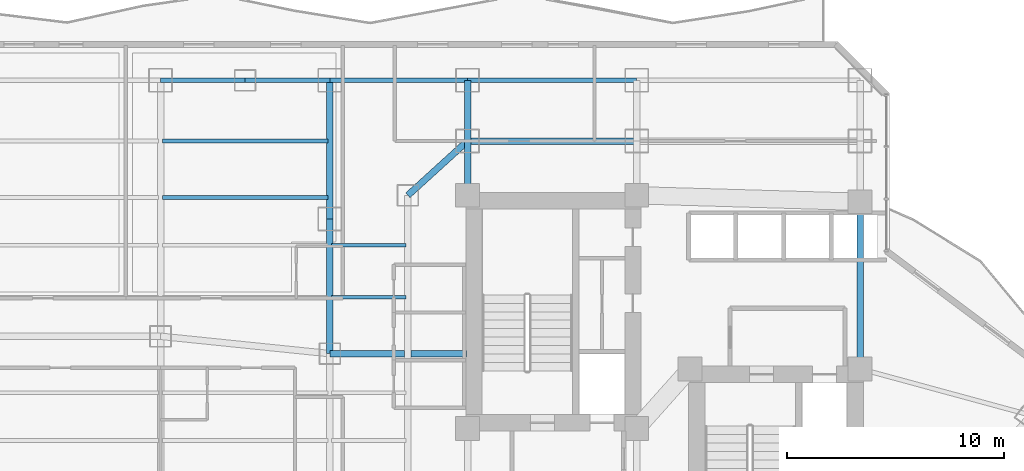
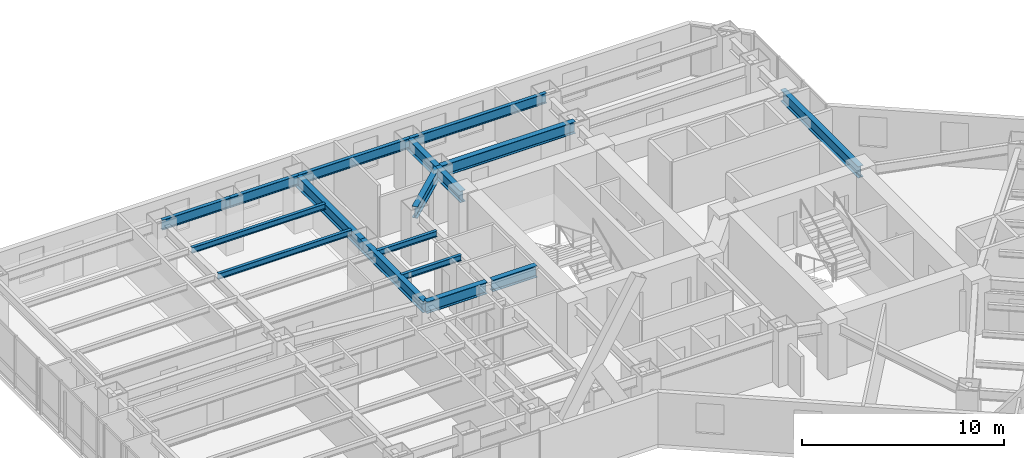
# One storey, part 17 of 33: 17 beams.
"""IFC4 building model written with IfcOpenShell, lengths in metres."""

from ifc_helpers import new_model, si_unit, direction, frame, origin, origin_2d, place, context, subcontext, project, spatial, i_section, extrude, material, material_profile, profile_set, type_object, element, save


model = new_model("IFC4")

# Units and contexts
model_context = context("Model", 3, precision=1e-05, world=origin(), true_north=direction((0.0, 1.0)))
body_context = subcontext(model_context, "Body", "Model", "MODEL_VIEW")
ifc_project = project(units=[si_unit("LENGTHUNIT", "METRE"), si_unit("AREAUNIT", "SQUARE_METRE"), si_unit("VOLUMEUNIT", "CUBIC_METRE"), si_unit("PLANEANGLEUNIT", "RADIAN"), si_unit("MASSUNIT", "GRAM", prefix="KILO")], contexts=[model_context])

# Site, building, storey
site_placement = place(None, origin())
site = spatial("IfcSite", under=ifc_project, at=site_placement, CompositionType="ELEMENT")
building_placement = place(site_placement, origin())
building = spatial("IfcBuilding", under=site, at=building_placement, Name="Hatsunagi Terrace Concourse", CompositionType="ELEMENT")
storey_placement = place(building_placement, frame((0.0, 0.0, 53.35009765625)))
storey = spatial("IfcBuildingStorey", under=building, at=storey_placement, Name="L13", CompositionType="ELEMENT", Elevation=53.35009765625)

# Beams
ifc_material_1 = material(Name="Steel SN490B", Category="steel")
ifc_material_profile_1 = material_profile(ifc_material_1, i_section(OverallWidth=0.300048828125, OverallDepth=0.699951171875, WebThickness=0.012939453125, FlangeThickness=0.02392578125, FilletRadius=0.02197265625, at=origin_2d()), Name="H-700x300x13x24")
ifc_profile_set_1 = profile_set([ifc_material_profile_1], Name="Steel SN490B")
beam_type_1 = type_object("IfcBeamType", Name="HotelFloorGirder_H_700x300", PredefinedType="BEAM", material=ifc_profile_set_1)
beam_1_placement = place(storey_placement, frame((43.64990234375, 35.300048828125, 2.77978515625), z_axis=(0.0, 1.0, 0.0), x_axis=(-1.0, 0.0, 0.0)))
element("IfcBeam", 1, at=beam_1_placement, inside=storey, type_object=beam_type_1, Name="Beam G-04 BM-L13-CBK3", PredefinedType="BEAM", context=body_context, shape_type="SweptSolid", body=[
    extrude(i_section(OverallWidth=0.300048828125, OverallDepth=0.699951171875, WebThickness=0.012939453125, FlangeThickness=0.02392578125, FilletRadius=0.02197265625, at=origin_2d()), origin(), (0.0, 0.0, 1.0), 7.699951171875),
])
beam_2_placement = place(storey_placement, frame((25.550048828125, 43.300048828125, 2.77978515625), z_axis=(0.0, 1.0, 0.0), x_axis=(-1.0, 0.0, 0.0)))
element("IfcBeam", 2, at=beam_2_placement, inside=storey, type_object=beam_type_1, Name="Beam G-04 BM-L13-CN1", PredefinedType="BEAM", context=body_context, shape_type="SweptSolid", body=[
    extrude(i_section(OverallWidth=0.300048828125, OverallDepth=0.699951171875, WebThickness=0.012939453125, FlangeThickness=0.02392578125, FilletRadius=0.02197265625, at=origin_2d()), origin(), (0.0, 0.0, 1.0), 2.5),
])
beam_3_placement = place(storey_placement, frame((25.550048828125, 45.800048828125, 2.77978515625), z_axis=(1.0, 0.0, 0.0), x_axis=(0.0, 1.0, 0.0)))
element("IfcBeam", 3, at=beam_3_placement, inside=storey, type_object=beam_type_1, Name="Beam G-04 BM-L13-CNEW1", PredefinedType="BEAM", context=body_context, shape_type="SweptSolid", body=[
    extrude(i_section(OverallWidth=0.300048828125, OverallDepth=0.699951171875, WebThickness=0.012939453125, FlangeThickness=0.02392578125, FilletRadius=0.02197265625, at=origin_2d()), origin(), (0.0, 0.0, 1.0), 7.800048828125),
])
beam_4_placement = place(storey_placement, frame((25.550048828125, 45.800048828125, 2.77978515625), z_axis=(0.0, 1.0, 0.0), x_axis=(-1.0, 0.0, 0.0)))
element("IfcBeam", 4, at=beam_4_placement, inside=storey, type_object=beam_type_1, Name="Beam G-04 BM-L13-KN-WN4", PredefinedType="BEAM", context=body_context, shape_type="SweptSolid", body=[
    extrude(i_section(OverallWidth=0.300048828125, OverallDepth=0.699951171875, WebThickness=0.012939453125, FlangeThickness=0.02392578125, FilletRadius=0.02197265625, at=origin_2d()), origin(), (0.0, 0.0, 1.0), 2.800048828125),
])
beam_5_placement = place(storey_placement, frame((22.800048828125, 43.300048828125, 2.77978515625), z_axis=(0.739940073396, 0.672672793996, 0.0), x_axis=(-0.672672793996, 0.739940073396, 0.0)))
element("IfcBeam", 5, at=beam_5_placement, inside=storey, type_object=beam_type_1, Name="Beam G-04 BM-L13-CWEW-N", PredefinedType="BEAM", context=body_context, shape_type="SweptSolid", body=[
    extrude(i_section(OverallWidth=0.300048828125, OverallDepth=0.699951171875, WebThickness=0.012939453125, FlangeThickness=0.02392578125, FilletRadius=0.02197265625, at=origin_2d()), origin(), (0.0, 0.0, 1.0), 3.716552734375),
])
beam_6_placement = place(storey_placement, frame((19.199951171875, 36.0, 2.77978515625), z_axis=(0.0, 1.0, 0.0), x_axis=(-1.0, 0.0, 0.0)))
element("IfcBeam", 6, at=beam_6_placement, inside=storey, type_object=beam_type_1, Name="Beam G-04 BM-L13-NS-19-36", PredefinedType="BEAM", context=body_context, shape_type="SweptSolid", body=[
    extrude(i_section(OverallWidth=0.300048828125, OverallDepth=0.699951171875, WebThickness=0.012939453125, FlangeThickness=0.02392578125, FilletRadius=0.02197265625, at=origin_2d()), origin(), (0.0, 0.0, 1.0), 6.199951171875),
])
beam_7_placement = place(storey_placement, frame((19.199951171875, 42.199951171875, 2.77978515625), z_axis=(0.0, 1.0, 0.0), x_axis=(-1.0, 0.0, 0.0)))
element("IfcBeam", 7, at=beam_7_placement, inside=storey, type_object=beam_type_1, Name="Beam G-04 BM-L13-NS-19-42", PredefinedType="BEAM", context=body_context, shape_type="SweptSolid", body=[
    extrude(i_section(OverallWidth=0.300048828125, OverallDepth=0.699951171875, WebThickness=0.012939453125, FlangeThickness=0.02392578125, FilletRadius=0.02197265625, at=origin_2d()), origin(), (0.0, 0.0, 1.0), 6.400146484375),
])
beam_8_placement = place(storey_placement, frame((19.199951171875, 36.0, 2.77978515625), z_axis=(1.0, 0.0, 0.0), x_axis=(0.0, 1.0, 0.0)))
element("IfcBeam", 8, at=beam_8_placement, inside=storey, type_object=beam_type_1, Name="Beam G-04 BM-L13-EW-3", PredefinedType="BEAM", context=body_context, shape_type="SweptSolid", body=[
    extrude(i_section(OverallWidth=0.300048828125, OverallDepth=0.699951171875, WebThickness=0.012939453125, FlangeThickness=0.02392578125, FilletRadius=0.02197265625, at=origin_2d()), origin(), (0.0, 0.0, 1.0), 3.449951171875),
])
beam_9_placement = place(storey_placement, frame((22.949951171875, 36.0, 2.77978515625), z_axis=(1.0, 0.0, 0.0), x_axis=(0.0, 1.0, 0.0)))
element("IfcBeam", 9, at=beam_9_placement, inside=storey, type_object=beam_type_1, Name="Beam G-04 BM-L13-EW-4", PredefinedType="BEAM", context=body_context, shape_type="SweptSolid", body=[
    extrude(i_section(OverallWidth=0.300048828125, OverallDepth=0.699951171875, WebThickness=0.012939453125, FlangeThickness=0.02392578125, FilletRadius=0.02197265625, at=origin_2d()), origin(), (0.0, 0.0, 1.0), 2.56005859375),
])
ifc_material_2 = material(Name="Steel SN490B", Category="steel")
ifc_material_profile_2 = material_profile(ifc_material_2, i_section(OverallWidth=0.175048828125, OverallDepth=0.35009765625, WebThickness=0.007080078125, FlangeThickness=0.010986328125, FilletRadius=0.012939453125, at=origin_2d()), Name="H-350x175x7x11")
ifc_profile_set_2 = profile_set([ifc_material_profile_2], Name="Steel SN490B")
beam_type_2 = type_object("IfcBeamType", Name="HotelJoist_H_350x175", PredefinedType="JOIST", material=ifc_profile_set_2)
for number, where, z_axis, x_axis, name in (
    (10, (19.284912109375, 38.60009765625, 2.954833984375), (1.0, 0.0, 0.0), (0.0, 1.0, 0.0), "Beam J-02 J-L13-W-19-386"),
    (11, (19.284912109375, 41.0, 2.954833984375), (1.0, 0.0, 0.0), (0.0, 1.0, 0.0), "Beam J-02 J-L13-W-19-410"),
):
    element("IfcBeam", number, at=place(storey_placement, frame(where, z_axis=z_axis, x_axis=x_axis)), inside=storey, type_object=beam_type_2, Name=name, PredefinedType="JOIST", context=body_context, shape_type="SweptSolid", body=[
        extrude(i_section(OverallWidth=0.175048828125, OverallDepth=0.35009765625, WebThickness=0.007080078125, FlangeThickness=0.010986328125, FilletRadius=0.012939453125, at=origin_2d()), origin(), (0.0, 0.0, 1.0), 3.43017578125),
    ])
for number, where, z_axis, x_axis, name in (
    (12, (11.485107421875, 43.199951171875, 2.954833984375), (1.0, 0.0, 0.0), (0.0, 1.0, 0.0), "Beam J-02 J-L13-W-11-432"),
    (13, (11.485107421875, 45.800048828125, 2.954833984375), (1.0, 0.0, 0.0), (0.0, 1.0, 0.0), "Beam J-02 J-L13-W-11-458"),
):
    element("IfcBeam", number, at=place(storey_placement, frame(where, z_axis=z_axis, x_axis=x_axis)), inside=storey, type_object=beam_type_2, Name=name, PredefinedType="JOIST", context=body_context, shape_type="SweptSolid", body=[
        extrude(i_section(OverallWidth=0.175048828125, OverallDepth=0.35009765625, WebThickness=0.007080078125, FlangeThickness=0.010986328125, FilletRadius=0.012939453125, at=origin_2d()), origin(), (0.0, 0.0, 1.0), 7.6298828125),
    ])
ifc_material_3 = material(Name="Steel SN490B", Category="steel")
ifc_material_profile_3 = material_profile(ifc_material_3, i_section(OverallWidth=0.199951171875, OverallDepth=0.60009765625, WebThickness=0.010986328125, FlangeThickness=0.01708984375, FilletRadius=0.01806640625, at=origin_2d()), Name="H-600x200x11x17")
ifc_profile_set_3 = profile_set([ifc_material_profile_3], Name="Steel SN490B")
beam_type_3 = type_object("IfcBeamType", Name="PerimeterSpandrel_H_600x200", PredefinedType="SPANDREL", material=ifc_profile_set_3)
beam_10_placement = place(storey_placement, frame((11.39990234375, 48.60009765625, 2.829833984375), z_axis=(1.0, 0.0, 0.0), x_axis=(0.0, 1.0, 0.0)))
element("IfcBeam", 14, at=beam_10_placement, inside=storey, type_object=beam_type_3, Name="Beam SP-01 BM-L13-WN-11", PredefinedType="SPANDREL", context=body_context, shape_type="SweptSolid", body=[
    extrude(i_section(OverallWidth=0.199951171875, OverallDepth=0.60009765625, WebThickness=0.010986328125, FlangeThickness=0.01708984375, FilletRadius=0.01806640625, at=origin_2d()), origin(), (0.0, 0.0, 1.0), 3.900146484375),
])
beam_11_placement = place(storey_placement, frame((15.300048828125, 48.60009765625, 2.829833984375), z_axis=(1.0, 0.0, 0.0), x_axis=(0.0, 1.0, 0.0)))
element("IfcBeam", 15, at=beam_11_placement, inside=storey, type_object=beam_type_3, Name="Beam SP-01 BM-L13-WN-15", PredefinedType="SPANDREL", context=body_context, shape_type="SweptSolid", body=[
    extrude(i_section(OverallWidth=0.199951171875, OverallDepth=0.60009765625, WebThickness=0.010986328125, FlangeThickness=0.01708984375, FilletRadius=0.01806640625, at=origin_2d()), origin(), (0.0, 0.0, 1.0), 3.89990234375),
])
beam_12_placement = place(storey_placement, frame((19.199951171875, 48.60009765625, 2.829833984375), z_axis=(1.0, 0.0, 0.0), x_axis=(0.0, 1.0, 0.0)))
element("IfcBeam", 16, at=beam_12_placement, inside=storey, type_object=beam_type_3, Name="Beam SP-01 BM-L13-WN-19", PredefinedType="SPANDREL", context=body_context, shape_type="SweptSolid", body=[
    extrude(i_section(OverallWidth=0.199951171875, OverallDepth=0.60009765625, WebThickness=0.010986328125, FlangeThickness=0.01708984375, FilletRadius=0.01806640625, at=origin_2d()), origin(), (0.0, 0.0, 1.0), 6.35009765625),
])
beam_13_placement = place(storey_placement, frame((25.550048828125, 48.60009765625, 2.829833984375), z_axis=(1.0, 0.0, 0.0), x_axis=(0.0, 1.0, 0.0)))
element("IfcBeam", 17, at=beam_13_placement, inside=storey, type_object=beam_type_3, Name="Beam SP-01 BM-L13-WN-25", PredefinedType="SPANDREL", context=body_context, shape_type="SweptSolid", body=[
    extrude(i_section(OverallWidth=0.199951171875, OverallDepth=0.60009765625, WebThickness=0.010986328125, FlangeThickness=0.01708984375, FilletRadius=0.01806640625, at=origin_2d()), origin(), (0.0, 0.0, 1.0), 7.800048828125),
])

save(model, "model.ifc")
